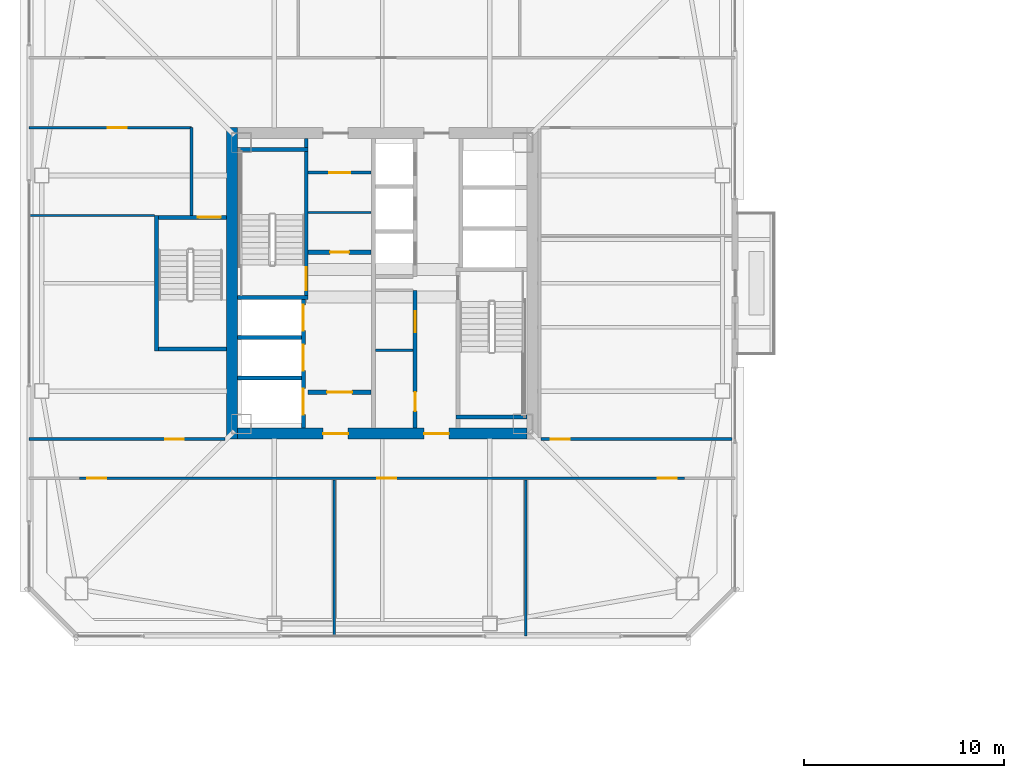
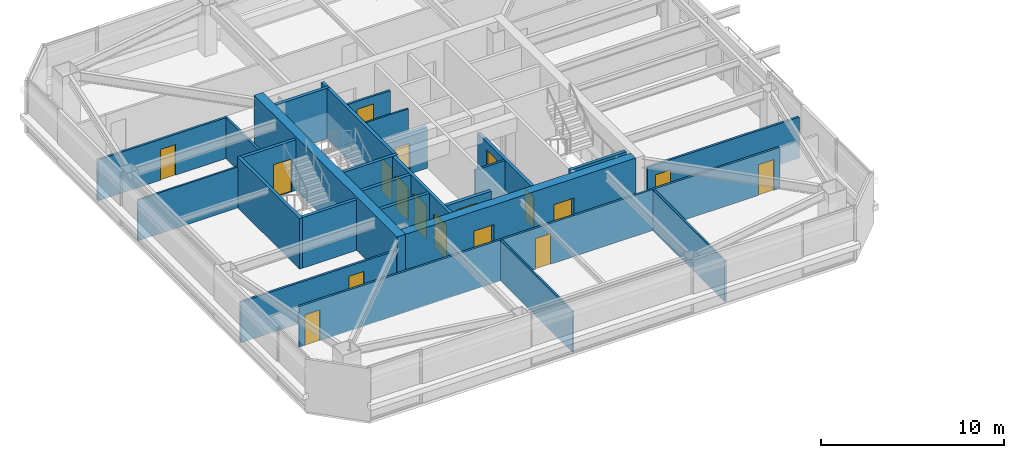
# One storey, part 31 of 41: 26 walls, 18 doors, 18 openings.
"""IFC4 building model written with IfcOpenShell, lengths in metres."""

import ifcopenshell
import ifcopenshell.guid

model = None  # the IFC model being written
_history = None  # IfcOwnerHistory: only IFC2X3 demands one
_inside = {}  # id of a spatial element -> (the spatial element, [elements in it])
_under = {}  # id of a project, library or spatial element -> (it, [spatial elements below it])
_declared = {}  # id of a project -> (the project, [libraries it declares])
_typed = {}  # id of a type object -> (the type object, [elements of that type])
_made_of = {}  # id of a material, layer set ... -> (it, [elements and type objects made of it])


def new_model(schema):
    """Start an empty IFC model of exactly this schema.

    Asked for "IFC4X3", IfcOpenShell would pick the latest addendum, in which some entities
    have other attributes; the version numbers below select the first issue.
    IFC2X3 requires an IfcOwnerHistory on every rooted entity: one is made here for all.
    """
    global model, _history
    if schema == "IFC4X3":
        model = ifcopenshell.file(schema_version=(4, 3, 0, 0))
    else:
        model = ifcopenshell.file(schema=schema)
    _inside.clear()
    _under.clear()
    _declared.clear()
    _typed.clear()
    _made_of.clear()
    _history = None
    if model.schema == "IFC2X3":
        org = make("IfcOrganization", Name="unknown")
        user = make(
            "IfcPersonAndOrganization",
            ThePerson=make("IfcPerson", FamilyName="unknown"),
            TheOrganization=org,
        )
        app = make(
            "IfcApplication",
            ApplicationDeveloper=org,
            Version="unknown",
            ApplicationFullName="unknown",
            ApplicationIdentifier="unknown",
        )
        _history = make(
            "IfcOwnerHistory",
            OwningUser=user,
            OwningApplication=app,
            ChangeAction="ADDED",
            CreationDate=0,
        )
    return model


def make(cls, **values):
    """One entity of the class cls with the attributes given. An attribute that is None is left unset."""
    return model.create_entity(
        cls, **{name: value for name, value in values.items() if value is not None}
    )


def rooted(cls, **values):
    """An entity with a GlobalId (a new one), such as an element, a storey or a relation."""
    return make(cls, GlobalId=ifcopenshell.guid.new(), OwnerHistory=_history, **values)


def si_unit(unit_type, name, prefix=None):
    """IfcSIUnit, for example si_unit("LENGTHUNIT", "METRE", prefix="MILLI")."""
    return make("IfcSIUnit", UnitType=unit_type, Prefix=prefix, Name=name)


def assignment(units):
    """IfcUnitAssignment: the units of a project."""
    return None if units is None else make("IfcUnitAssignment", Units=units)


def point(xyz):
    """IfcCartesianPoint."""
    return None if xyz is None else make("IfcCartesianPoint", Coordinates=xyz)


def direction(xyz):
    """IfcDirection."""
    return None if xyz is None else make("IfcDirection", DirectionRatios=xyz)


def frame(location, z_axis=None, x_axis=None):
    """IfcAxis2Placement3D, a coordinate frame: its origin and axes. An axis left out is left unset."""
    return make(
        "IfcAxis2Placement3D",
        Location=point(location),
        Axis=direction(z_axis),
        RefDirection=direction(x_axis),
    )


def frame_2d(location, x_axis=None):
    """IfcAxis2Placement2D, a coordinate frame in the plane: its origin and x axis."""
    return make(
        "IfcAxis2Placement2D", Location=point(location), RefDirection=direction(x_axis)
    )


def origin():
    """The frame at (0, 0, 0) with its axes left unset."""
    return frame((0.0, 0.0, 0.0))


def place(relative_to, where):
    """IfcLocalPlacement: puts the frame where relative to a parent placement (None: the world)."""
    return make(
        "IfcLocalPlacement", PlacementRelTo=relative_to, RelativePlacement=where
    )


def context(
    kind, dimensions, precision=None, world=None, true_north=None, identifier=None
):
    """IfcGeometricRepresentationContext, for example the 3D "Model" context."""
    return make(
        "IfcGeometricRepresentationContext",
        ContextIdentifier=identifier,
        ContextType=kind,
        CoordinateSpaceDimension=dimensions,
        Precision=precision,
        WorldCoordinateSystem=world,
        TrueNorth=true_north,
    )


def subcontext(parent, identifier, kind, view, scale=None):
    """IfcGeometricRepresentationSubContext, for example "Body" below "Model"."""
    return make(
        "IfcGeometricRepresentationSubContext",
        ContextIdentifier=identifier,
        ContextType=kind,
        ParentContext=parent,
        TargetScale=scale,
        TargetView=view,
    )


def project(units=None, contexts=None):
    """IfcProject with its units and contexts."""
    return rooted(
        "IfcProject",
        Name="project",
        RepresentationContexts=contexts,
        UnitsInContext=assignment(units),
    )


def spatial(cls, under=None, at=None, **own):
    """A site, building, storey or space (cls), placed at a placement, below another one or the project."""
    s = rooted(cls, ObjectPlacement=at, **own)
    if under is not None:
        _under.setdefault(under.id(), (under, []))[1].append(s)
    return s


def profile(cls, at=None, kind="AREA", **sizes):
    """A parametric profile (cls). Its sizes go by their IFC names, for example OverallWidth=200.0."""
    return make(cls, ProfileType=kind, Position=at, **sizes)


def rectangle(**sizes):
    """IfcRectangleProfileDef."""
    return profile("IfcRectangleProfileDef", **sizes)


def extrude(swept, where, along, depth):
    """IfcExtrudedAreaSolid: the profile swept, set in the frame where, extruded along a direction by depth."""
    return make(
        "IfcExtrudedAreaSolid",
        SweptArea=swept,
        Position=where,
        ExtrudedDirection=direction(along),
        Depth=depth,
    )


def shape(context_of_items, identifier, shape_type, items):
    """IfcShapeRepresentation: the items that make up one representation, for example the "Body"."""
    return make(
        "IfcShapeRepresentation",
        ContextOfItems=context_of_items,
        RepresentationIdentifier=identifier,
        RepresentationType=shape_type,
        Items=items,
    )


def material(Name=None, Category=None):
    """IfcMaterial."""
    return make("IfcMaterial", Name=Name, Category=Category)


def layer(
    of_material, thickness, ventilated=None, Name=None, Category=None, Priority=None
):
    """IfcMaterialLayer: one layer of a wall or slab, of a material (None: an air gap)."""
    return make(
        "IfcMaterialLayer",
        Material=of_material,
        LayerThickness=thickness,
        IsVentilated=ventilated,
        Name=Name,
        Category=Category,
        Priority=Priority,
    )


def layer_set(layers, Name=None):
    """IfcMaterialLayerSet."""
    return make("IfcMaterialLayerSet", MaterialLayers=layers, LayerSetName=Name)


def made_of(thing, what):
    """Note that an element or type object is made of a material, layer set ...; save() writes the relation."""
    if what is not None:
        _made_of.setdefault(what.id(), (what, []))[1].append(thing)
    return thing


def type_object(cls, material=None, **own):
    """A type object (cls), such as IfcWallType, which elements share."""
    return made_of(rooted(cls, **own), material)


def element(
    cls,
    number,
    at=None,
    inside=None,
    cuts=None,
    type_object=None,
    material=None,
    context=None,
    identifier="Body",
    shape_type=None,
    held_by="IfcProductDefinitionShape",
    body=None,
    shapes=None,
    **own,
):
    """One element of the class cls, such as IfcWall. Its Tag is "e" and its number.

    at: its placement. inside: the storey or other place that contains it. cuts: it is an
    opening in that element (IfcRelVoidsElement). A single representation is given by context,
    identifier, shape_type and body (its items); several are given by shapes. held_by: the class
    of the entity that holds the representations. save() writes the other relations.
    """
    e = rooted(cls, Tag="e%d" % number, ObjectPlacement=at, **own)
    if body is not None:
        shapes = [shape(context, identifier, shape_type, body)]
    if shapes is not None:
        e.Representation = make(held_by, Representations=shapes)
    if inside is not None:
        _inside.setdefault(inside.id(), (inside, []))[1].append(e)
    if cuts is not None:
        rooted(
            "IfcRelVoidsElement", RelatingBuildingElement=cuts, RelatedOpeningElement=e
        )
    if type_object is not None:
        _typed.setdefault(type_object.id(), (type_object, []))[1].append(e)
    return made_of(e, material)


def fill(opening, filler):
    """IfcRelFillsElement: the door or window that sits in an opening."""
    return rooted(
        "IfcRelFillsElement",
        RelatingOpeningElement=opening,
        RelatedBuildingElement=filler,
    )


def aggregate(whole, parts):
    """IfcRelAggregates: a whole, such as a stair, and the parts it consists of."""
    return rooted("IfcRelAggregates", RelatingObject=whole, RelatedObjects=parts)


def save(model, path):
    """Write the relations noted so far, then the file.

    IfcRelAggregates (storeys below a building ...), IfcRelContainedInSpatialStructure (elements
    in a storey), IfcRelDefinesByType, IfcRelAssociatesMaterial and IfcRelDeclares: one each for
    every whole, place, type object, material and project.
    """
    for whole, parts in _under.values():
        aggregate(whole, parts)
    for where, things in _inside.values():
        rooted(
            "IfcRelContainedInSpatialStructure",
            RelatedElements=things,
            RelatingStructure=where,
        )
    for kind, things in _typed.values():
        rooted("IfcRelDefinesByType", RelatedObjects=things, RelatingType=kind)
    for what, things in _made_of.values():
        rooted("IfcRelAssociatesMaterial", RelatedObjects=things, RelatingMaterial=what)
    for by, libraries in _declared.values():
        rooted("IfcRelDeclares", RelatingContext=by, RelatedDefinitions=libraries)
    model.write(path)


model = new_model("IFC4")

# Units and contexts
model_context = context("Model", 3, precision=1e-05, world=origin(), true_north=direction((0.0, 1.0)))
body_context = subcontext(model_context, "Body", "Model", "MODEL_VIEW")
ifc_project = project(units=[si_unit("LENGTHUNIT", "METRE"), si_unit("AREAUNIT", "SQUARE_METRE"), si_unit("VOLUMEUNIT", "CUBIC_METRE"), si_unit("PLANEANGLEUNIT", "RADIAN"), si_unit("MASSUNIT", "GRAM", prefix="KILO")], contexts=[model_context])

# Site, building, storey
site_placement = place(None, origin())
site = spatial("IfcSite", under=ifc_project, at=site_placement, CompositionType="ELEMENT")
building_placement = place(site_placement, origin())
building = spatial("IfcBuilding", under=site, at=building_placement, Name="Tashvorn Skyway Center", CompositionType="ELEMENT")
storey_placement = place(building_placement, frame((0.0, 0.0, 171.199951171875)))
storey = spatial("IfcBuildingStorey", under=building, at=storey_placement, Name="L46", CompositionType="ELEMENT", Elevation=171.199951171875)

# Wall
ifc_material_1 = material(Name="Concrete C60/75", Category="concrete")
ifc_layer_1 = layer(ifc_material_1, 0.550048828125)
ifc_layer_set_1 = layer_set([ifc_layer_1], Name="Concrete C60/75")
wall_type_1 = type_object("IfcWallType", Name="WALL-CORE-550", PredefinedType="SHEAR", material=ifc_layer_set_1)
wall_1_placement = place(storey_placement, frame((34.47509765625, 24.199951171875, 0.0), z_axis=(0.0, 0.0, 1.0), x_axis=(0.0, 1.0, 0.0)))
element("IfcWall", 1, at=wall_1_placement, inside=storey, type_object=wall_type_1, Name="Tower 1 L46 West Core Shear Wall", PredefinedType="SHEAR", context=body_context, shape_type="SweptSolid", body=[
    extrude(rectangle(XDim=15.60009765625, YDim=0.550048828125, at=frame_2d((7.800048828125, 0.0))), origin(), (0.0, 0.0, 1.0), 3.550048828125),
])

# Wall, openings, doors
wall_2_placement = place(storey_placement, frame((49.25, 24.47509765625, 0.0), z_axis=(0.0, 0.0, 1.0), x_axis=(-1.0, 0.0, 0.0)))
wall_2 = element("IfcWall", 2, at=wall_2_placement, inside=storey, type_object=wall_type_1, Name="Tower 1 L46 South Core Shear Wall", PredefinedType="SHEAR", context=body_context, shape_type="SweptSolid", body=[
    extrude(rectangle(XDim=14.5, YDim=0.550048828125, at=frame_2d((7.25, 0.0))), origin(), (0.0, 0.0, 1.0), 3.550048828125),
])
opening_1_placement = place(wall_2_placement, frame((8.949951171875, 0.0, 0.0)))
opening_1 = element("IfcOpeningElement", 3, at=opening_1_placement, cuts=wall_2, Name="Opening D-FFL-1250", PredefinedType="OPENING", context=body_context, shape_type="SweptSolid", body=[
    extrude(rectangle(XDim=1.25, YDim=2.25, at=frame_2d((0.625, 1.125))), frame((0.0, 0.284912109375, 0.0), z_axis=(0.0, -1.0, 0.0), x_axis=(1.0, 0.0, 0.0)), (0.0, 0.0, 1.0), 0.570068359375),
])
opening_2_placement = place(wall_2_placement, frame((3.89990234375, 0.0, 0.0)))
opening_2 = element("IfcOpeningElement", 4, at=opening_2_placement, cuts=wall_2, Name="Opening D-FFL-1250", PredefinedType="OPENING", context=body_context, shape_type="SweptSolid", body=[
    extrude(rectangle(XDim=1.25, YDim=2.25, at=frame_2d((0.625, 1.125))), frame((0.0, 0.284912109375, 0.0), z_axis=(0.0, -1.0, 0.0), x_axis=(1.0, 0.0, 0.0)), (0.0, 0.0, 1.0), 0.570068359375),
])
ifc_material_2 = material(Name="Hollow galvanized steel fire door assembly", Category="steel")
door_type_1 = type_object("IfcDoorType", Name="DOOR-FFL-1250", OperationType="NOTDEFINED", PredefinedType="DOOR", material=ifc_material_2)
door_1_placement = place(opening_1_placement, origin())
door_1 = element("IfcDoor", 5, at=door_1_placement, inside=storey, type_object=door_type_1, Name="Tower 1 L46 Core South Firefighting Exit Door", OperationType="SINGLE_SWING_LEFT", OverallHeight=2.25, OverallWidth=1.25, PredefinedType="DOOR", context=body_context, shape_type="SweptSolid", body=[
    extrude(rectangle(XDim=1.25, YDim=2.25, at=frame_2d((0.625, 1.125))), frame((0.0, 0.02490234375, 0.0), z_axis=(0.0, -1.0, 0.0), x_axis=(1.0, 0.0, 0.0)), (0.0, 0.0, 1.0), 0.050048828125),
])
fill(opening_1, door_1)
door_2_placement = place(opening_2_placement, origin())
door_2 = element("IfcDoor", 6, at=door_2_placement, inside=storey, type_object=door_type_1, Name="Tower 1 L46 Core South Lift Lobby Door", OperationType="SINGLE_SWING_RIGHT", OverallHeight=2.25, OverallWidth=1.25, PredefinedType="DOOR", context=body_context, shape_type="SweptSolid", body=[
    extrude(rectangle(XDim=1.25, YDim=2.25, at=frame_2d((0.625, 1.125))), frame((0.0, 0.02490234375, 0.0), z_axis=(0.0, -1.0, 0.0), x_axis=(1.0, 0.0, 0.0)), (0.0, 0.0, 1.0), 0.050048828125),
])
fill(opening_2, door_2)

# Wall, opening, door
ifc_material_3 = material(Name="Concrete C40/50", Category="concrete")
ifc_layer_2 = layer(ifc_material_3, 0.219970703125)
ifc_layer_set_2 = layer_set([ifc_layer_2], Name="Concrete C40/50")
wall_type_2 = type_object("IfcWallType", Name="WALL-FFL-220", PredefinedType="SOLIDWALL", material=ifc_layer_set_2)
wall_3_placement = place(storey_placement, frame((38.300048828125, 33.56005859375, 0.0), z_axis=(0.0, 0.0, 1.0), x_axis=(1.0, 0.0, 0.0)))
wall_3 = element("IfcWall", 7, at=wall_3_placement, inside=storey, type_object=wall_type_2, Name="Tower 1 L46 Firefighting Lobby North Wall", PredefinedType="SOLIDWALL", context=body_context, shape_type="SweptSolid", body=[
    extrude(rectangle(XDim=3.14990234375, YDim=0.219970703125, at=frame_2d((1.574951171875, 0.0))), origin(), (0.0, 0.0, 1.0), 2.72314453125),
])
opening_3_placement = place(wall_3_placement, frame((1.10009765625, 0.0, 0.0)))
opening_3 = element("IfcOpeningElement", 8, at=opening_3_placement, cuts=wall_3, Name="Opening D-RT-950", PredefinedType="OPENING", context=body_context, shape_type="SweptSolid", body=[
    extrude(rectangle(XDim=0.949951171875, YDim=2.050048828125, at=frame_2d((0.47509765625, 1.02490234375))), frame((0.0, 0.119873046875, 0.0), z_axis=(0.0, -1.0, 0.0), x_axis=(1.0, 0.0, 0.0)), (0.0, 0.0, 1.0), 0.239990234375),
])
door_type_2 = type_object("IfcDoorType", Name="DOOR-RATED-950", OperationType="NOTDEFINED", PredefinedType="DOOR", material=ifc_material_2)
door_3_placement = place(opening_3_placement, origin())
door_3 = element("IfcDoor", 9, at=door_3_placement, inside=storey, type_object=door_type_2, Name="Tower 1 L46 Core Linen Store Door", OperationType="SINGLE_SWING_LEFT", OverallHeight=2.050048828125, OverallWidth=0.949951171875, PredefinedType="DOOR", context=body_context, shape_type="SweptSolid", body=[
    extrude(rectangle(XDim=0.949951171875, YDim=2.050048828125, at=frame_2d((0.47509765625, 1.02490234375))), frame((0.0, 0.02490234375, 0.0), z_axis=(0.0, -1.0, 0.0), x_axis=(1.0, 0.0, 0.0)), (0.0, 0.0, 1.0), 0.050048828125),
])
fill(opening_3, door_3)

wall_4_placement = place(storey_placement, frame((38.300048828125, 26.5400390625, 0.0), z_axis=(0.0, 0.0, 1.0), x_axis=(1.0, 0.0, 0.0)))
wall_4 = element("IfcWall", 10, at=wall_4_placement, inside=storey, type_object=wall_type_2, Name="Tower 1 L46 Firefighting Lobby South Wall", PredefinedType="SOLIDWALL", context=body_context, shape_type="SweptSolid", body=[
    extrude(rectangle(XDim=3.14990234375, YDim=0.219970703125, at=frame_2d((1.574951171875, 0.0))), origin(), (0.0, 0.0, 1.0), 2.72314453125),
])
opening_4_placement = place(wall_4_placement, frame((0.949951171875, 0.0, 0.0)))
opening_4 = element("IfcOpeningElement", 11, at=opening_4_placement, cuts=wall_4, Name="Opening D-FFL-1250", PredefinedType="OPENING", context=body_context, shape_type="SweptSolid", body=[
    extrude(rectangle(XDim=1.25, YDim=2.25, at=frame_2d((0.625, 1.125))), frame((0.0, 0.119873046875, 0.0), z_axis=(0.0, -1.0, 0.0), x_axis=(1.0, 0.0, 0.0)), (0.0, 0.0, 1.0), 0.239990234375),
])
door_4_placement = place(opening_4_placement, origin())
door_4 = element("IfcDoor", 12, at=door_4_placement, inside=storey, type_object=door_type_1, Name="Tower 1 L46 Firefighting Lobby Egress Door", OperationType="SINGLE_SWING_LEFT", OverallHeight=2.25, OverallWidth=1.25, PredefinedType="DOOR", context=body_context, shape_type="SweptSolid", body=[
    extrude(rectangle(XDim=1.25, YDim=2.25, at=frame_2d((0.625, 1.125))), frame((0.0, 0.02490234375, 0.0), z_axis=(0.0, -1.0, 0.0), x_axis=(1.0, 0.0, 0.0)), (0.0, 0.0, 1.0), 0.050048828125),
])
fill(opening_4, door_4)

# Walls
ifc_material_4 = material(Name="Gypsum board on cold-formed steel stud framing", Category="steel")
ifc_layer_3 = layer(ifc_material_4, 0.110107421875)
ifc_layer_set_3 = layer_set([ifc_layer_3], Name="Gypsum board on cold-formed steel stud framing")
wall_type_3 = type_object("IfcWallType", Name="WALL-PART-110", PredefinedType="PARTITIONING", material=ifc_layer_set_3)
for number, where, z_axis, x_axis, name in (
    (13, (39.60009765625, 14.320068359375, 0.0), (0.0, 0.0, 1.0), (0.0, 1.0, 0.0), "Tower 1 L46 South Suite Partition 1"),
    (14, (49.199951171875, 14.320068359375, 0.0), (0.0, 0.0, 1.0), (0.0, 1.0, 0.0), "Tower 1 L46 South Suite Partition 2"),
):
    element("IfcWall", number, at=place(storey_placement, frame(where, z_axis=z_axis, x_axis=x_axis)), inside=storey, type_object=wall_type_3, Name=name, PredefinedType="PARTITIONING", context=body_context, shape_type="SweptSolid", body=[
        extrude(rectangle(XDim=7.829833984375, YDim=0.110107421875, at=frame_2d((3.9150390625, 0.0))), origin(), (0.0, 0.0, 1.0), 2.72314453125),
    ])
wall_5_placement = place(storey_placement, frame((30.60009765625, 35.39990234375, 0.0), z_axis=(0.0, 0.0, 1.0), x_axis=(-1.0, 0.0, 0.0)))
element("IfcWall", 15, at=wall_5_placement, inside=storey, type_object=wall_type_3, Name="Tower 1 L46 West Suite Partition 1", PredefinedType="PARTITIONING", context=body_context, shape_type="SweptSolid", body=[
    extrude(rectangle(XDim=6.280029296875, YDim=0.110107421875, at=frame_2d((3.14013671875, 0.0))), origin(), (0.0, 0.0, 1.0), 2.72314453125),
])
ifc_layer_4 = layer(ifc_material_4, 0.135009765625)
ifc_layer_set_4 = layer_set([ifc_layer_4], Name="Gypsum board on cold-formed steel stud framing")
wall_type_4 = type_object("IfcWallType", Name="WALL-PART-135", PredefinedType="PARTITIONING", material=ifc_layer_set_4)
wall_6_placement = place(storey_placement, frame((32.449951171875, 35.39990234375, 0.0), z_axis=(0.0, 0.0, 1.0), x_axis=(0.0, 1.0, 0.0)))
element("IfcWall", 16, at=wall_6_placement, inside=storey, type_object=wall_type_4, Name="Tower 1 L46 Stair 3 Access Corridor Wall", PredefinedType="PARTITIONING", context=body_context, shape_type="SweptSolid", body=[
    extrude(rectangle(XDim=4.400146484375, YDim=0.135009765625, at=frame_2d((2.2001953125, 0.0))), origin(), (0.0, 0.0, 1.0), 2.72314453125),
])

# Wall, openings, doors
wall_7_placement = place(storey_placement, frame((57.14990234375, 22.22998046875, 0.0), z_axis=(0.0, 0.0, 1.0), x_axis=(-1.0, 0.0, 0.0)))
wall_7 = element("IfcWall", 17, at=wall_7_placement, inside=storey, type_object=wall_type_4, Name="Tower 1 L46 South Suite Wall", PredefinedType="PARTITIONING", context=body_context, shape_type="SweptSolid", body=[
    extrude(rectangle(XDim=30.2998046875, YDim=0.135009765625, at=frame_2d((15.14990234375, 0.0))), origin(), (0.0, 0.0, 1.0), 2.72314453125),
])
opening_5_placement = place(wall_7_placement, frame((28.969970703125, 0.0, 0.0)))
opening_5 = element("IfcOpeningElement", 18, at=opening_5_placement, cuts=wall_7, Name="Opening D-INT-950", PredefinedType="OPENING", context=body_context, shape_type="SweptSolid", body=[
    extrude(rectangle(XDim=0.949951171875, YDim=2.050048828125, at=frame_2d((0.47509765625, 1.02490234375))), frame((0.0, 0.077392578125, 0.0), z_axis=(0.0, -1.0, 0.0), x_axis=(1.0, 0.0, 0.0)), (0.0, 0.0, 1.0), 0.155029296875),
])
opening_6_placement = place(wall_7_placement, frame((14.4384765625, 0.0, 0.0)))
opening_6 = element("IfcOpeningElement", 19, at=opening_6_placement, cuts=wall_7, Name="Opening D-INT-950", PredefinedType="OPENING", context=body_context, shape_type="SweptSolid", body=[
    extrude(rectangle(XDim=0.949951171875, YDim=2.050048828125, at=frame_2d((0.47509765625, 1.02490234375))), frame((0.0, 0.077392578125, 0.0), z_axis=(0.0, -1.0, 0.0), x_axis=(1.0, 0.0, 0.0)), (0.0, 0.0, 1.0), 0.155029296875),
])
opening_7_placement = place(wall_7_placement, frame((0.3798828125, 0.0, 0.0)))
opening_7 = element("IfcOpeningElement", 20, at=opening_7_placement, cuts=wall_7, Name="Opening D-INT-950", PredefinedType="OPENING", context=body_context, shape_type="SweptSolid", body=[
    extrude(rectangle(XDim=0.949951171875, YDim=2.050048828125, at=frame_2d((0.47509765625, 1.02490234375))), frame((0.0, 0.077392578125, 0.0), z_axis=(0.0, -1.0, 0.0), x_axis=(1.0, 0.0, 0.0)), (0.0, 0.0, 1.0), 0.155029296875),
])
ifc_material_5 = material(Name="Solid-core architectural oak veneer door")
door_type_3 = type_object("IfcDoorType", Name="DOOR-INT-950", OperationType="NOTDEFINED", PredefinedType="DOOR", material=ifc_material_5)
door_5_placement = place(opening_5_placement, origin())
door_5 = element("IfcDoor", 21, at=door_5_placement, inside=storey, type_object=door_type_3, Name="Tower 1 L46 Operations Control Room Door", OperationType="SINGLE_SWING_RIGHT", OverallHeight=2.050048828125, OverallWidth=0.949951171875, PredefinedType="DOOR", context=body_context, shape_type="SweptSolid", body=[
    extrude(rectangle(XDim=0.949951171875, YDim=2.050048828125, at=frame_2d((0.47509765625, 1.02490234375))), frame((0.0, 0.02490234375, 0.0), z_axis=(0.0, -1.0, 0.0), x_axis=(1.0, 0.0, 0.0)), (0.0, 0.0, 1.0), 0.050048828125),
])
fill(opening_5, door_5)
door_6_placement = place(opening_6_placement, origin())
door_6 = element("IfcDoor", 22, at=door_6_placement, inside=storey, type_object=door_type_3, Name="Tower 1 L46 Security Control Room Door", OperationType="SINGLE_SWING_LEFT", OverallHeight=2.050048828125, OverallWidth=0.949951171875, PredefinedType="DOOR", context=body_context, shape_type="SweptSolid", body=[
    extrude(rectangle(XDim=0.949951171875, YDim=2.050048828125, at=frame_2d((0.47509765625, 1.02490234375))), frame((0.0, 0.02490234375, 0.0), z_axis=(0.0, -1.0, 0.0), x_axis=(1.0, 0.0, 0.0)), (0.0, 0.0, 1.0), 0.050048828125),
])
fill(opening_6, door_6)
door_7_placement = place(opening_7_placement, origin())
door_7 = element("IfcDoor", 23, at=door_7_placement, inside=storey, type_object=door_type_3, Name="Tower 1 L46 Security Control Room Door", OperationType="SINGLE_SWING_RIGHT", OverallHeight=2.050048828125, OverallWidth=0.949951171875, PredefinedType="DOOR", context=body_context, shape_type="SweptSolid", body=[
    extrude(rectangle(XDim=0.949951171875, YDim=2.050048828125, at=frame_2d((0.47509765625, 1.02490234375))), frame((0.0, 0.02490234375, 0.0), z_axis=(0.0, -1.0, 0.0), x_axis=(1.0, 0.0, 0.0)), (0.0, 0.0, 1.0), 0.050048828125),
])
fill(opening_7, door_7)

# Wall, opening, door
wall_8_placement = place(storey_placement, frame((49.9599609375, 24.199951171875, 0.0), z_axis=(0.0, 0.0, 1.0), x_axis=(1.0, 0.0, 0.0)))
wall_8 = element("IfcWall", 24, at=wall_8_placement, inside=storey, type_object=wall_type_4, Name="Tower 1 L46 East Suite South Wall", PredefinedType="PARTITIONING", context=body_context, shape_type="SweptSolid", body=[
    extrude(rectangle(XDim=9.570068359375, YDim=0.135009765625, at=frame_2d((4.78515625, 0.0))), origin(), (0.0, 0.0, 1.0), 2.72314453125),
])
opening_8_placement = place(wall_8_placement, frame((0.5, 0.0, 0.0)))
opening_8 = element("IfcOpeningElement", 25, at=opening_8_placement, cuts=wall_8, Name="Opening D-INT-950", PredefinedType="OPENING", context=body_context, shape_type="SweptSolid", body=[
    extrude(rectangle(XDim=0.949951171875, YDim=2.050048828125, at=frame_2d((0.47509765625, 1.02490234375))), frame((0.0, 0.077392578125, 0.0), z_axis=(0.0, -1.0, 0.0), x_axis=(1.0, 0.0, 0.0)), (0.0, 0.0, 1.0), 0.155029296875),
])
door_8_placement = place(opening_8_placement, origin())
door_8 = element("IfcDoor", 26, at=door_8_placement, inside=storey, type_object=door_type_3, Name="Tower 1 L46 Public Restroom Door", OperationType="SINGLE_SWING_RIGHT", OverallHeight=2.050048828125, OverallWidth=0.949951171875, PredefinedType="DOOR", context=body_context, shape_type="SweptSolid", body=[
    extrude(rectangle(XDim=0.949951171875, YDim=2.050048828125, at=frame_2d((0.47509765625, 1.02490234375))), frame((0.0, 0.02490234375, 0.0), z_axis=(0.0, -1.0, 0.0), x_axis=(1.0, 0.0, 0.0)), (0.0, 0.0, 1.0), 0.050048828125),
])
fill(opening_8, door_8)

wall_9_placement = place(storey_placement, frame((32.449951171875, 39.800048828125, 0.0), z_axis=(0.0, 0.0, 1.0), x_axis=(-1.0, 0.0, 0.0)))
wall_9 = element("IfcWall", 27, at=wall_9_placement, inside=storey, type_object=wall_type_4, Name="Tower 1 L46 West Suite North Wall", PredefinedType="PARTITIONING", context=body_context, shape_type="SweptSolid", body=[
    extrude(rectangle(XDim=8.1298828125, YDim=0.135009765625, at=frame_2d((4.06494140625, 0.0))), origin(), (0.0, 0.0, 1.0), 2.72314453125),
])
opening_9_placement = place(wall_9_placement, frame((3.239990234375, 0.0, 0.0)))
opening_9 = element("IfcOpeningElement", 28, at=opening_9_placement, cuts=wall_9, Name="Opening D-INT-950", PredefinedType="OPENING", context=body_context, shape_type="SweptSolid", body=[
    extrude(rectangle(XDim=0.949951171875, YDim=2.050048828125, at=frame_2d((0.47509765625, 1.02490234375))), frame((0.0, 0.077392578125, 0.0), z_axis=(0.0, -1.0, 0.0), x_axis=(1.0, 0.0, 0.0)), (0.0, 0.0, 1.0), 0.155029296875),
])
door_9_placement = place(opening_9_placement, origin())
door_9 = element("IfcDoor", 29, at=door_9_placement, inside=storey, type_object=door_type_3, Name="Tower 1 L46 Boardroom Door", OperationType="SINGLE_SWING_LEFT", OverallHeight=2.050048828125, OverallWidth=0.949951171875, PredefinedType="DOOR", context=body_context, shape_type="SweptSolid", body=[
    extrude(rectangle(XDim=0.949951171875, YDim=2.050048828125, at=frame_2d((0.47509765625, 1.02490234375))), frame((0.0, 0.02490234375, 0.0), z_axis=(0.0, -1.0, 0.0), x_axis=(1.0, 0.0, 0.0)), (0.0, 0.0, 1.0), 0.050048828125),
])
fill(opening_9, door_9)

wall_10_placement = place(storey_placement, frame((24.320068359375, 24.199951171875, 0.0), z_axis=(0.0, 0.0, 1.0), x_axis=(1.0, 0.0, 0.0)))
wall_10 = element("IfcWall", 30, at=wall_10_placement, inside=storey, type_object=wall_type_4, Name="Tower 1 L46 West Suite South Wall", PredefinedType="PARTITIONING", context=body_context, shape_type="SweptSolid", body=[
    extrude(rectangle(XDim=9.800048828125, YDim=0.135009765625, at=frame_2d((4.89990234375, 0.0))), origin(), (0.0, 0.0, 1.0), 2.72314453125),
])
opening_10_placement = place(wall_10_placement, frame((6.804931640625, 0.0, 0.0)))
opening_10 = element("IfcOpeningElement", 31, at=opening_10_placement, cuts=wall_10, Name="Opening D-INT-950", PredefinedType="OPENING", context=body_context, shape_type="SweptSolid", body=[
    extrude(rectangle(XDim=0.949951171875, YDim=2.050048828125, at=frame_2d((0.47509765625, 1.02490234375))), frame((0.0, 0.077392578125, 0.0), z_axis=(0.0, -1.0, 0.0), x_axis=(1.0, 0.0, 0.0)), (0.0, 0.0, 1.0), 0.155029296875),
])
door_10_placement = place(opening_10_placement, origin())
door_10 = element("IfcDoor", 32, at=door_10_placement, inside=storey, type_object=door_type_3, Name="Tower 1 L46 Public Restroom Door", OperationType="SINGLE_SWING_RIGHT", OverallHeight=2.050048828125, OverallWidth=0.949951171875, PredefinedType="DOOR", context=body_context, shape_type="SweptSolid", body=[
    extrude(rectangle(XDim=0.949951171875, YDim=2.050048828125, at=frame_2d((0.47509765625, 1.02490234375))), frame((0.0, 0.02490234375, 0.0), z_axis=(0.0, -1.0, 0.0), x_axis=(1.0, 0.0, 0.0)), (0.0, 0.0, 1.0), 0.050048828125),
])
fill(opening_10, door_10)

# Wall
ifc_layer_5 = layer(ifc_material_4, 0.110107421875)
ifc_layer_set_5 = layer_set([ifc_layer_5], Name="Gypsum board on cold-formed steel stud framing")
wall_type_5 = type_object("IfcWallType", Name="WALL-RATED-110", PredefinedType="PARTITIONING", material=ifc_layer_set_5)
wall_11_placement = place(storey_placement, frame((38.300048828125, 35.550048828125, 0.0), z_axis=(0.0, 0.0, 1.0), x_axis=(1.0, 0.0, 0.0)))
element("IfcWall", 33, at=wall_11_placement, inside=storey, type_object=wall_type_5, Name="Tower 1 L46 Core Transverse Wall", PredefinedType="PARTITIONING", context=body_context, shape_type="SweptSolid", body=[
    extrude(rectangle(XDim=3.14990234375, YDim=0.110107421875, at=frame_2d((1.574951171875, 0.0))), origin(), (0.0, 0.0, 1.0), 2.72314453125),
])

# Wall, opening, door
ifc_layer_6 = layer(ifc_material_4, 0.135009765625)
ifc_layer_set_6 = layer_set([ifc_layer_6], Name="Gypsum board on cold-formed steel stud framing")
wall_type_6 = type_object("IfcWallType", Name="WALL-RATED-135", PredefinedType="PARTITIONING", material=ifc_layer_set_6)
wall_12_placement = place(storey_placement, frame((38.300048828125, 37.550048828125, 0.0), z_axis=(0.0, 0.0, 1.0), x_axis=(1.0, 0.0, 0.0)))
wall_12 = element("IfcWall", 34, at=wall_12_placement, inside=storey, type_object=wall_type_6, Name="Tower 1 L46 Core Service Lobby Wall", PredefinedType="PARTITIONING", context=body_context, shape_type="SweptSolid", body=[
    extrude(rectangle(XDim=3.14990234375, YDim=0.135009765625, at=frame_2d((1.574951171875, 0.0))), origin(), (0.0, 0.0, 1.0), 2.72314453125),
])
opening_11_placement = place(wall_12_placement, frame((1.050048828125, 0.0, 0.0)))
opening_11 = element("IfcOpeningElement", 35, at=opening_11_placement, cuts=wall_12, Name="Opening D-RT-1050", PredefinedType="OPENING", context=body_context, shape_type="SweptSolid", body=[
    extrude(rectangle(XDim=1.050048828125, YDim=2.199951171875, at=frame_2d((0.52490234375, 1.10009765625))), frame((0.0, 0.077392578125, 0.0), z_axis=(0.0, -1.0, 0.0), x_axis=(1.0, 0.0, 0.0)), (0.0, 0.0, 1.0), 0.155029296875),
])
door_type_4 = type_object("IfcDoorType", Name="DOOR-RATED-1050", OperationType="NOTDEFINED", PredefinedType="DOOR", material=ifc_material_2)
door_11_placement = place(opening_11_placement, origin())
door_11 = element("IfcDoor", 36, at=door_11_placement, inside=storey, type_object=door_type_4, Name="Tower 1 L46 Core Accessible WC Door", OperationType="SINGLE_SWING_RIGHT", OverallHeight=2.199951171875, OverallWidth=1.050048828125, PredefinedType="DOOR", context=body_context, shape_type="SweptSolid", body=[
    extrude(rectangle(XDim=1.050048828125, YDim=2.199951171875, at=frame_2d((0.52490234375, 1.10009765625))), frame((0.0, 0.02490234375, 0.0), z_axis=(0.0, -1.0, 0.0), x_axis=(1.0, 0.0, 0.0)), (0.0, 0.0, 1.0), 0.050048828125),
])
fill(opening_11, door_11)

# Walls
wall_13_placement = place(storey_placement, frame((41.669921875, 28.64990234375, 0.0), z_axis=(0.0, 0.0, 1.0), x_axis=(1.0, 0.0, 0.0)))
element("IfcWall", 37, at=wall_13_placement, inside=storey, type_object=wall_type_6, Name="Tower 1 L46 Freed Core Partition", PredefinedType="PARTITIONING", context=body_context, shape_type="SweptSolid", body=[
    extrude(rectangle(XDim=1.880126953125, YDim=0.135009765625, at=frame_2d((0.93994140625, 0.0))), origin(), (0.0, 0.0, 1.0), 2.72314453125),
])
ifc_layer_7 = layer(ifc_material_3, 0.199951171875)
ifc_layer_set_7 = layer_set([ifc_layer_7], Name="Concrete C40/50")
wall_type_7 = type_object("IfcWallType", Name="WALL-SHAFT-200", PredefinedType="SOLIDWALL", material=ifc_layer_set_7)
for number, where, z_axis, x_axis, name in (
    (38, (34.75, 27.25, 0.0), (0.0, 0.0, 1.0), (1.0, 0.0, 0.0), "Tower 1 L46 FSAE Shaft Divider"),
    (39, (34.75, 29.280029296875, 0.0), (0.0, 0.0, 1.0), (1.0, 0.0, 0.0), "Tower 1 L46 FSAE Shaft Divider"),
):
    element("IfcWall", number, at=place(storey_placement, frame(where, z_axis=z_axis, x_axis=x_axis)), inside=storey, type_object=wall_type_7, Name=name, PredefinedType="SOLIDWALL", context=body_context, shape_type="SweptSolid", body=[
        extrude(rectangle(XDim=3.199951171875, YDim=0.199951171875, at=frame_2d((1.60009765625, 0.0))), origin(), (0.0, 0.0, 1.0), 3.3701171875),
    ])

# Wall, openings, doors
wall_14_placement = place(storey_placement, frame((43.64990234375, 24.75, 0.0), z_axis=(0.0, 0.0, 1.0), x_axis=(0.0, 1.0, 0.0)))
wall_14 = element("IfcWall", 40, at=wall_14_placement, inside=storey, type_object=wall_type_7, Name="Tower 1 L46 Low-Rise Core Wall", PredefinedType="SOLIDWALL", context=body_context, shape_type="SweptSolid", body=[
    extrude(rectangle(XDim=6.89990234375, YDim=0.199951171875, at=frame_2d((3.449951171875, 0.0))), origin(), (0.0, 0.0, 1.0), 2.72314453125),
])
opening_12_placement = place(wall_14_placement, frame((0.85009765625, 0.0, 0.0)))
opening_12 = element("IfcOpeningElement", 41, at=opening_12_placement, cuts=wall_14, Name="Opening D-RT-950", PredefinedType="OPENING", context=body_context, shape_type="SweptSolid", body=[
    extrude(rectangle(XDim=0.949951171875, YDim=2.050048828125, at=frame_2d((0.47509765625, 1.02490234375))), frame((0.0, 0.10986328125, 0.0), z_axis=(0.0, -1.0, 0.0), x_axis=(1.0, 0.0, 0.0)), (0.0, 0.0, 1.0), 0.219970703125),
])
opening_13_placement = place(wall_14_placement, frame((4.800048828125, 0.0, 0.0)))
opening_13 = element("IfcOpeningElement", 42, at=opening_13_placement, cuts=wall_14, Name="Opening D-RT-1050", PredefinedType="OPENING", context=body_context, shape_type="SweptSolid", body=[
    extrude(rectangle(XDim=1.050048828125, YDim=2.199951171875, at=frame_2d((0.52490234375, 1.10009765625))), frame((0.0, 0.10986328125, 0.0), z_axis=(0.0, -1.0, 0.0), x_axis=(1.0, 0.0, 0.0)), (0.0, 0.0, 1.0), 0.219970703125),
])
door_12_placement = place(opening_13_placement, origin())
door_12 = element("IfcDoor", 43, at=door_12_placement, inside=storey, type_object=door_type_4, Name="Tower 1 L46 Freed Core Room Door", OperationType="SINGLE_SWING_RIGHT", OverallHeight=2.199951171875, OverallWidth=1.050048828125, PredefinedType="DOOR", context=body_context, shape_type="SweptSolid", body=[
    extrude(rectangle(XDim=1.050048828125, YDim=2.199951171875, at=frame_2d((0.52490234375, 1.10009765625))), frame((0.0, 0.02490234375, 0.0), z_axis=(0.0, -1.0, 0.0), x_axis=(1.0, 0.0, 0.0)), (0.0, 0.0, 1.0), 0.050048828125),
])
fill(opening_13, door_12)
door_13_placement = place(opening_12_placement, origin())
door_13 = element("IfcDoor", 44, at=door_13_placement, inside=storey, type_object=door_type_2, Name="Tower 1 L46 Core Print Room Door", OperationType="SINGLE_SWING_LEFT", OverallHeight=2.050048828125, OverallWidth=0.949951171875, PredefinedType="DOOR", context=body_context, shape_type="SweptSolid", body=[
    extrude(rectangle(XDim=0.949951171875, YDim=2.050048828125, at=frame_2d((0.47509765625, 1.02490234375))), frame((0.0, 0.02490234375, 0.0), z_axis=(0.0, -1.0, 0.0), x_axis=(1.0, 0.0, 0.0)), (0.0, 0.0, 1.0), 0.050048828125),
])
fill(opening_12, door_13)

# Wall, opening, door
ifc_layer_8 = layer(ifc_material_3, 0.199951171875)
ifc_layer_set_8 = layer_set([ifc_layer_8], Name="Concrete C40/50")
wall_type_8 = type_object("IfcWallType", Name="WALL-STSHF-200", PredefinedType="SHEAR", material=ifc_layer_set_8)
wall_15_placement = place(storey_placement, frame((38.199951171875, 31.199951171875, 0.0), z_axis=(0.0, 0.0, 1.0), x_axis=(0.0, 1.0, 0.0)))
wall_15 = element("IfcWall", 45, at=wall_15_placement, inside=storey, type_object=wall_type_8, Name="Tower 1 L46 Stair 1 Enclosure Wall", PredefinedType="SHEAR", context=body_context, shape_type="SweptSolid", body=[
    extrude(rectangle(XDim=8.050048828125, YDim=0.199951171875, at=frame_2d((4.02490234375, 0.0))), origin(), (0.0, 0.0, 1.0), 3.3701171875),
])
opening_14_placement = place(wall_15_placement, frame((0.449951171875, 0.0, 0.0)))
opening_14 = element("IfcOpeningElement", 46, at=opening_14_placement, cuts=wall_15, Name="Opening D-ST-1150", PredefinedType="OPENING", context=body_context, shape_type="SweptSolid", body=[
    extrude(rectangle(XDim=1.14990234375, YDim=2.199951171875, at=frame_2d((0.574951171875, 1.10009765625))), frame((0.0, 0.10986328125, 0.0), z_axis=(0.0, -1.0, 0.0), x_axis=(1.0, 0.0, 0.0)), (0.0, 0.0, 1.0), 0.219970703125),
])
door_type_5 = type_object("IfcDoorType", Name="DOOR-STAIR-1150", OperationType="NOTDEFINED", PredefinedType="DOOR", material=ifc_material_2)
door_14_placement = place(opening_14_placement, origin())
door_14 = element("IfcDoor", 47, at=door_14_placement, inside=storey, type_object=door_type_5, Name="Tower 1 L46 Exit Stair 1 Door", OperationType="SINGLE_SWING_RIGHT", OverallHeight=2.199951171875, OverallWidth=1.14990234375, PredefinedType="DOOR", context=body_context, shape_type="SweptSolid", body=[
    extrude(rectangle(XDim=1.14990234375, YDim=2.199951171875, at=frame_2d((0.574951171875, 1.10009765625))), frame((0.0, 0.02490234375, 0.0), z_axis=(0.0, -1.0, 0.0), x_axis=(1.0, 0.0, 0.0)), (0.0, 0.0, 1.0), 0.050048828125),
])
fill(opening_14, door_14)

# Walls
for number, where, z_axis, x_axis, name in (
    (48, (34.75, 31.300048828125, 0.0), (0.0, 0.0, 1.0), (1.0, 0.0, 0.0), "Tower 1 L46 Stair 1 South Wall"),
    (49, (34.75, 38.699951171875, 0.0), (0.0, 0.0, 1.0), (1.0, 0.0, 0.0), "Tower 1 L46 Stair 1 North Wall"),
    (50, (45.699951171875, 25.300048828125, 0.0), (0.0, 0.0, 1.0), (1.0, 0.0, 0.0), "Tower 1 L46 Stair 2 South Wall"),
):
    element("IfcWall", number, at=place(storey_placement, frame(where, z_axis=z_axis, x_axis=x_axis)), inside=storey, type_object=wall_type_8, Name=name, PredefinedType="SHEAR", context=body_context, shape_type="SweptSolid", body=[
        extrude(rectangle(XDim=3.550048828125, YDim=0.199951171875, at=frame_2d((1.77490234375, 0.0))), origin(), (0.0, 0.0, 1.0), 3.3701171875),
    ])

# Wall, openings, doors
wall_16_placement = place(storey_placement, frame((38.050048828125, 24.75, 0.0), z_axis=(0.0, 0.0, 1.0), x_axis=(0.0, 1.0, 0.0)))
wall_16 = element("IfcWall", 51, at=wall_16_placement, inside=storey, type_object=wall_type_8, Name="Tower 1 L46 FSAE and Goods Shaft Front Wall", PredefinedType="SHEAR", context=body_context, shape_type="SweptSolid", body=[
    extrude(rectangle(XDim=6.449951171875, YDim=0.199951171875, at=frame_2d((3.22509765625, 0.0))), origin(), (0.0, 0.0, 1.0), 3.3701171875),
])
opening_15_placement = place(wall_16_placement, frame((4.875, 0.0, 0.0)))
opening_15 = element("IfcOpeningElement", 52, at=opening_15_placement, cuts=wall_16, Name="Opening LD-FF-T1-1-L46", PredefinedType="OPENING", context=body_context, shape_type="SweptSolid", body=[
    extrude(rectangle(XDim=1.300048828125, YDim=2.25, at=frame_2d((0.64990234375, 1.125))), frame((0.0, 0.10986328125, 0.0), z_axis=(0.0, -1.0, 0.0), x_axis=(1.0, 0.0, 0.0)), (0.0, 0.0, 1.0), 0.219970703125),
])
opening_16_placement = place(wall_16_placement, frame((2.875, 0.0, 0.0)))
opening_16 = element("IfcOpeningElement", 53, at=opening_16_placement, cuts=wall_16, Name="Opening LD-FF-T1-2-L46", PredefinedType="OPENING", context=body_context, shape_type="SweptSolid", body=[
    extrude(rectangle(XDim=1.300048828125, YDim=2.25, at=frame_2d((0.64990234375, 1.125))), frame((0.0, 0.10986328125, 0.0), z_axis=(0.0, -1.0, 0.0), x_axis=(1.0, 0.0, 0.0)), (0.0, 0.0, 1.0), 0.219970703125),
])
opening_17_placement = place(wall_16_placement, frame((0.675048828125, 0.0, 0.0)))
opening_17 = element("IfcOpeningElement", 54, at=opening_17_placement, cuts=wall_16, Name="Opening LD-GD-T1-1-L46", PredefinedType="OPENING", context=body_context, shape_type="SweptSolid", body=[
    extrude(rectangle(XDim=1.300048828125, YDim=2.25, at=frame_2d((0.64990234375, 1.125))), frame((0.0, 0.10986328125, 0.0), z_axis=(0.0, -1.0, 0.0), x_axis=(1.0, 0.0, 0.0)), (0.0, 0.0, 1.0), 0.219970703125),
])
ifc_material_6 = material(Name="Stainless steel heavy-duty landing door", Category="steel")
door_type_6 = type_object("IfcDoorType", Name="DOOR-LIFT-1300", OperationType="SLIDING_TO_LEFT", PredefinedType="DOOR", material=ifc_material_6)
door_15_placement = place(opening_15_placement, origin())
door_15 = element("IfcDoor", 55, at=door_15_placement, inside=storey, type_object=door_type_6, Name="Lift FF-T1-1 L46 Landing Door", OperationType="SLIDING_TO_LEFT", OverallHeight=2.25, OverallWidth=1.300048828125, PredefinedType="DOOR", context=body_context, shape_type="SweptSolid", body=[
    extrude(rectangle(XDim=1.300048828125, YDim=2.25, at=frame_2d((0.64990234375, 1.125))), frame((0.0, 0.02490234375, 0.0), z_axis=(0.0, -1.0, 0.0), x_axis=(1.0, 0.0, 0.0)), (0.0, 0.0, 1.0), 0.050048828125),
])
fill(opening_15, door_15)
door_16_placement = place(opening_16_placement, origin())
door_16 = element("IfcDoor", 56, at=door_16_placement, inside=storey, type_object=door_type_6, Name="Lift FF-T1-2 L46 Landing Door", OperationType="SLIDING_TO_LEFT", OverallHeight=2.25, OverallWidth=1.300048828125, PredefinedType="DOOR", context=body_context, shape_type="SweptSolid", body=[
    extrude(rectangle(XDim=1.300048828125, YDim=2.25, at=frame_2d((0.64990234375, 1.125))), frame((0.0, 0.02490234375, 0.0), z_axis=(0.0, -1.0, 0.0), x_axis=(1.0, 0.0, 0.0)), (0.0, 0.0, 1.0), 0.050048828125),
])
fill(opening_16, door_16)
door_17_placement = place(opening_17_placement, origin())
door_17 = element("IfcDoor", 57, at=door_17_placement, inside=storey, type_object=door_type_6, Name="Lift GD-T1-1 L46 Landing Door", OperationType="SLIDING_TO_LEFT", OverallHeight=2.25, OverallWidth=1.300048828125, PredefinedType="DOOR", context=body_context, shape_type="SweptSolid", body=[
    extrude(rectangle(XDim=1.300048828125, YDim=2.25, at=frame_2d((0.64990234375, 1.125))), frame((0.0, 0.02490234375, 0.0), z_axis=(0.0, -1.0, 0.0), x_axis=(1.0, 0.0, 0.0)), (0.0, 0.0, 1.0), 0.050048828125),
])
fill(opening_17, door_17)

# Wall
wall_17_placement = place(storey_placement, frame((30.699951171875, 28.60009765625, 0.0), z_axis=(0.0, 0.0, 1.0), x_axis=(0.0, 1.0, 0.0)))
element("IfcWall", 58, at=wall_17_placement, inside=storey, type_object=wall_type_8, Name="Tower 1 L46 Stair 3 Outer Wall", PredefinedType="SHEAR", context=body_context, shape_type="SweptSolid", body=[
    extrude(rectangle(XDim=6.7998046875, YDim=0.199951171875, at=frame_2d((3.39990234375, 0.0))), origin(), (0.0, 0.0, 1.0), 3.3701171875),
])

# Wall, opening, door
wall_18_placement = place(storey_placement, frame((34.199951171875, 35.300048828125, 0.0), z_axis=(0.0, 0.0, 1.0), x_axis=(-1.0, 0.0, 0.0)))
wall_18 = element("IfcWall", 59, at=wall_18_placement, inside=storey, type_object=wall_type_8, Name="Tower 1 L46 Stair 3 Enclosure Wall", PredefinedType="SHEAR", context=body_context, shape_type="SweptSolid", body=[
    extrude(rectangle(XDim=3.39990234375, YDim=0.199951171875, at=frame_2d((1.699951171875, 0.0))), origin(), (0.0, 0.0, 1.0), 3.3701171875),
])
opening_18_placement = place(wall_18_placement, frame((0.27490234375, 0.0, 0.0)))
opening_18 = element("IfcOpeningElement", 60, at=opening_18_placement, cuts=wall_18, Name="Opening D-ST-1150", PredefinedType="OPENING", context=body_context, shape_type="SweptSolid", body=[
    extrude(rectangle(XDim=1.14990234375, YDim=2.199951171875, at=frame_2d((0.574951171875, 1.10009765625))), frame((0.0, 0.10986328125, 0.0), z_axis=(0.0, -1.0, 0.0), x_axis=(1.0, 0.0, 0.0)), (0.0, 0.0, 1.0), 0.219970703125),
])
door_18_placement = place(opening_18_placement, origin())
door_18 = element("IfcDoor", 61, at=door_18_placement, inside=storey, type_object=door_type_5, Name="Tower 1 L46 Exit Stair 3 Door", OperationType="SINGLE_SWING_RIGHT", OverallHeight=2.199951171875, OverallWidth=1.14990234375, PredefinedType="DOOR", context=body_context, shape_type="SweptSolid", body=[
    extrude(rectangle(XDim=1.14990234375, YDim=2.199951171875, at=frame_2d((0.574951171875, 1.10009765625))), frame((0.0, 0.02490234375, 0.0), z_axis=(0.0, -1.0, 0.0), x_axis=(1.0, 0.0, 0.0)), (0.0, 0.0, 1.0), 0.050048828125),
])
fill(opening_18, door_18)

# Wall
wall_19_placement = place(storey_placement, frame((30.800048828125, 28.699951171875, 0.0), z_axis=(0.0, 0.0, 1.0), x_axis=(1.0, 0.0, 0.0)))
element("IfcWall", 62, at=wall_19_placement, inside=storey, type_object=wall_type_8, Name="Tower 1 L46 Stair 3 South Wall", PredefinedType="SHEAR", context=body_context, shape_type="SweptSolid", body=[
    extrude(rectangle(XDim=3.39990234375, YDim=0.199951171875, at=frame_2d((1.699951171875, 0.0))), origin(), (0.0, 0.0, 1.0), 3.3701171875),
])

save(model, "model.ifc")
